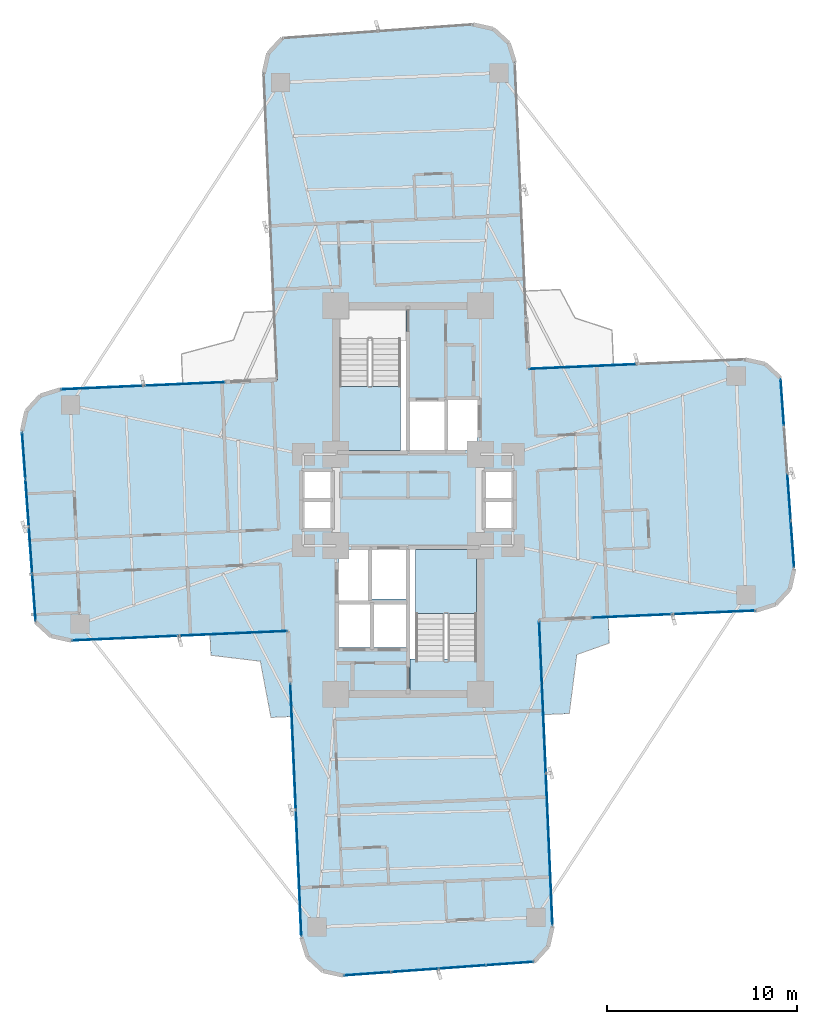
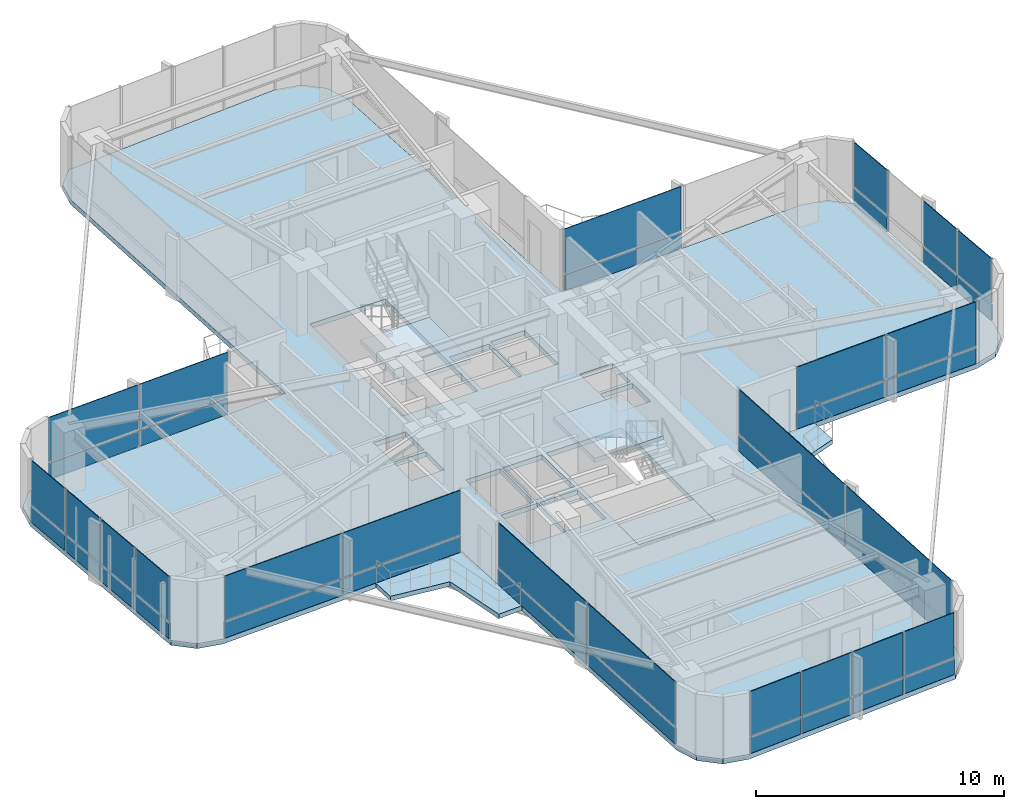
# One storey, part 21 of 26: 44 plates, 6 slabs, 11 elements without a shape of their own.
"""IFC4 building model written with IfcOpenShell, lengths in metres."""

from ifc_helpers import new_model, si_unit, direction, frame, origin, origin_2d, place, context, subcontext, project, spatial, polyline, rectangle, outline, extrude, source, transform, mapped, material, layer, layer_set, type_object, element, aggregate, save


model = new_model("IFC4")

# Units and contexts
model_context = context("Model", 3, precision=1e-05, world=origin(), true_north=direction((0.0, 1.0)))
body_context = subcontext(model_context, "Body", "Model", "MODEL_VIEW")
ifc_project = project(units=[si_unit("LENGTHUNIT", "METRE"), si_unit("AREAUNIT", "SQUARE_METRE"), si_unit("VOLUMEUNIT", "CUBIC_METRE"), si_unit("PLANEANGLEUNIT", "RADIAN"), si_unit("MASSUNIT", "GRAM", prefix="KILO")], contexts=[model_context])

# Site, building, storey
site_placement = place(None, origin())
site = spatial("IfcSite", under=ifc_project, at=site_placement, CompositionType="ELEMENT")
building_placement = place(site_placement, origin())
building = spatial("IfcBuilding", under=site, at=building_placement, Name="Sahyath Konkavel Grand Hotel", CompositionType="ELEMENT")
storey_placement = place(building_placement, frame((0.0, 0.0, 86.85009765625)))
storey = spatial("IfcBuildingStorey", under=building, at=storey_placement, Name="L23", CompositionType="ELEMENT", Elevation=86.85009765625)

# Slabs
ifc_material_1 = material(Name="Concrete C40/50", Category="concrete")
ifc_layer_1 = layer(ifc_material_1, 0.239990234375)
ifc_layer_set_1 = layer_set([ifc_layer_1], Name="Concrete C40/50")
slab_type_1 = type_object("IfcSlabType", Name="SLB-240", PredefinedType="FLOOR", material=ifc_layer_set_1)
slab_1_placement = place(storey_placement, frame((0.0, 0.0, -0.239990234375)))
element("IfcSlab", 1, at=slab_1_placement, inside=storey, type_object=slab_type_1, Name="L23 Structural Floor Slab", PredefinedType="FLOOR", context=body_context, shape_type="SweptSolid", body=[
    extrude(outline(polyline([(6.881591796875, -6.305908203125), (18.270751953125, -5.80859375), (19.3076171875, -5.481689453125), (20.0419921875, -4.68017578125), (20.277099609375, -3.618896484375), (19.5576171875, 6.4091796875), (18.75634765625, 7.1435546875), (17.695068359375, 7.37890625), (6.305908203125, 6.881591796875), (5.603515625, 22.96630859375), (5.276611328125, 24.0029296875), (4.47509765625, 24.7373046875), (3.4140625, 24.97265625), (-6.6142578125, 24.253173828125), (-7.3486328125, 23.451904296875), (-7.583984375, 22.390380859375), (-6.881591796875, 6.305908203125), (-18.270751953125, 5.80859375), (-19.3076171875, 5.481689453125), (-20.0419921875, 4.68017578125), (-20.277099609375, 3.618896484375), (-19.5576171875, -6.4091796875), (-18.75634765625, -7.1435546875), (-17.695068359375, -7.37890625), (-6.305908203125, -6.881591796875), (-5.603515625, -22.96630859375), (-5.276611328125, -24.0029296875), (-4.47509765625, -24.7373046875), (-3.4140625, -24.97265625), (6.6142578125, -24.253173828125), (7.3486328125, -23.451904296875), (7.583984375, -22.390380859375), (6.881591796875, -6.305908203125)]), holes=[polyline([(-3.6201171875, 2.580078125), (-0.10009765625, 2.580078125), (-0.10009765625, 10.02001953125), (-3.6201171875, 10.02001953125), (-3.6201171875, 2.580078125)]), polyline([(0.10009765625, -10.02001953125), (3.6201171875, -10.02001953125), (3.6201171875, -2.580078125), (0.10009765625, -2.580078125), (0.10009765625, -10.02001953125)]), polyline([(0.10009765625, 2.60009765625), (1.949951171875, 2.60009765625), (1.949951171875, 5.199951171875), (0.10009765625, 5.199951171875), (0.10009765625, 2.60009765625)]), polyline([(-1.949951171875, -5.199951171875), (-0.10009765625, -5.199951171875), (-0.10009765625, -2.60009765625), (-1.949951171875, -2.60009765625), (-1.949951171875, -5.199951171875)]), polyline([(2.050048828125, 2.60009765625), (3.64990234375, 2.60009765625), (3.64990234375, 5.300048828125), (2.050048828125, 5.300048828125), (2.050048828125, 2.60009765625)]), polyline([(-3.64990234375, -5.300048828125), (-2.050048828125, -5.300048828125), (-2.050048828125, -2.60009765625), (-3.64990234375, -2.60009765625), (-3.64990234375, -5.300048828125)]), polyline([(-3.64990234375, -7.75), (-1.949951171875, -7.75), (-1.949951171875, -5.449951171875), (-3.64990234375, -5.449951171875), (-3.64990234375, -7.75)]), polyline([(-1.85009765625, -7.75), (-0.10009765625, -7.75), (-0.10009765625, -5.449951171875), (-1.85009765625, -5.449951171875), (-1.85009765625, -7.75)]), polyline([(4.050048828125, 0.080078125), (5.550048828125, 0.080078125), (5.550048828125, 1.5400390625), (4.050048828125, 1.5400390625), (4.050048828125, 0.080078125)]), polyline([(4.050048828125, -1.5400390625), (5.550048828125, -1.5400390625), (5.550048828125, -0.080078125), (4.050048828125, -0.080078125), (4.050048828125, -1.5400390625)]), polyline([(-5.550048828125, 0.080078125), (-4.050048828125, 0.080078125), (-4.050048828125, 1.5400390625), (-5.550048828125, 1.5400390625), (-5.550048828125, 0.080078125)]), polyline([(-5.550048828125, -1.5400390625), (-4.050048828125, -1.5400390625), (-4.050048828125, -0.080078125), (-5.550048828125, -0.080078125), (-5.550048828125, -1.5400390625)])]), origin(), (0.0, 0.0, 1.0), 0.239990234375),
])
ifc_layer_2 = layer(ifc_material_1, 0.219970703125)
ifc_layer_set_2 = layer_set([ifc_layer_2], Name="Concrete C40/50")
slab_type_2 = type_object("IfcSlabType", Name="SLB-BALCONY-220", PredefinedType="FLOOR", material=ifc_layer_set_2)
slab_2_placement = place(storey_placement, frame((0.0, 0.0, -0.22021484375)))
element("IfcSlab", 2, at=slab_2_placement, inside=storey, type_object=slab_type_2, Name="L23 Winter-Garden Balcony SW", PredefinedType="FLOOR", context=body_context, shape_type="SweptSolid", body=[
    extrude(outline(polyline([(-6.305908203125, -6.881591796875), (-10.406982421875, -7.060791015625), (-10.359130859375, -8.155517578125), (-7.760009765625, -8.468505859375), (-7.20458984375, -11.420166015625), (-6.10986328125, -11.372314453125), (-6.305908203125, -6.881591796875)])), origin(), (0.0, 0.0, 1.0), 0.22021484375),
])
slab_3_placement = place(storey_placement, frame((0.0, 0.0, -0.22021484375)))
element("IfcSlab", 3, at=slab_3_placement, inside=storey, type_object=slab_type_2, Name="L23 Winter-Garden Balcony SE", PredefinedType="FLOOR", context=body_context, shape_type="SweptSolid", body=[
    extrude(outline(polyline([(6.881591796875, -6.305908203125), (7.098388671875, -11.273193359375), (8.462890625, -11.21337890625), (8.859619140625, -8.118408203125), (10.565673828125, -7.51220703125), (10.506103515625, -6.147705078125), (6.881591796875, -6.305908203125)])), origin(), (0.0, 0.0, 1.0), 0.22021484375),
])

# Stair, slab
stair_type = type_object("IfcStairType", Name="STR-ST16-335", PredefinedType="HALF_TURN_STAIR", material=ifc_material_1)
stair_1_placement = place(storey_placement, origin())
stair_1 = element("IfcStair", 4, at=stair_1_placement, inside=storey, type_object=stair_type, Name="L23 North Core Smokeproof Exit Stair ST-1", PredefinedType="HALF_TURN_STAIR")
ifc_layer_3 = layer(ifc_material_1, 0.199951171875)
ifc_layer_set_3 = layer_set([ifc_layer_3], Name="Concrete C40/50")
slab_type_3 = type_object("IfcSlabType", Name="SLB-STAIR-LND", PredefinedType="LANDING", material=ifc_layer_set_3)
slab_4_placement = place(storey_placement, frame((0.0, 0.0, 1.474853515625)))
slab_4 = element("IfcSlab", 5, at=slab_4_placement, type_object=slab_type_3, Name="ST-1 landing 1", PredefinedType="LANDING", context=body_context, shape_type="SweptSolid", body=[
    extrude(outline(polyline([(-3.60009765625, 5.9599609375), (-3.60009765625, 2.60009765625), (-0.39990234375, 2.60009765625), (-0.39990234375, 5.9599609375), (-3.60009765625, 5.9599609375)])), origin(), (0.0, 0.0, 1.0), 0.199951171875),
])
aggregate(stair_1, [slab_4])

stair_2_placement = place(storey_placement, origin())
stair_2 = element("IfcStair", 6, at=stair_2_placement, inside=storey, type_object=stair_type, Name="L23 South Core Smokeproof Exit Stair ST-2", PredefinedType="HALF_TURN_STAIR")
slab_5_placement = place(storey_placement, frame((0.0, 0.0, 1.474853515625)))
slab_5 = element("IfcSlab", 7, at=slab_5_placement, type_object=slab_type_3, Name="ST-2 landing 1", PredefinedType="LANDING", context=body_context, shape_type="SweptSolid", body=[
    extrude(outline(polyline([(3.60009765625, -5.9599609375), (3.60009765625, -2.60009765625), (0.39990234375, -2.60009765625), (0.39990234375, -5.9599609375), (3.60009765625, -5.9599609375)])), origin(), (0.0, 0.0, 1.0), 0.199951171875),
])
aggregate(stair_2, [slab_5])

# Slab
slab_6_placement = place(storey_placement, frame((0.0, 0.0, -0.2001953125)))
element("IfcSlab", 8, at=slab_6_placement, inside=storey, type_object=slab_type_3, Name="L23 Stair ST-2 Floor Landing Slab", PredefinedType="LANDING", context=body_context, shape_type="SweptSolid", body=[
    extrude(outline(polyline([(0.10009765625, -10.02001953125), (3.6201171875, -10.02001953125), (3.6201171875, -8.35009765625), (0.10009765625, -8.35009765625), (0.10009765625, -10.02001953125)])), origin(), (0.0, 0.0, 1.0), 0.2001953125),
])

# Curtain wall, plates
ifc_material_2 = material(Name="Anodised Bronze Aluminium & Low-E Glazing", Category="aluminium")
curtain_wall_type = type_object("IfcCurtainWallType", Name="CW-ZONE2", PredefinedType="NOTDEFINED", material=ifc_material_2)
curtain_wall_1_placement = place(storey_placement, origin())
curtain_wall_1 = element("IfcCurtainWall", 9, at=curtain_wall_1_placement, inside=storey, type_object=curtain_wall_type, Name="L23 Unitised Curtain Wall F0", PredefinedType="NOTDEFINED")
ifc_material_3 = material(Name="Warm Buff Sandstone Cladding", Category="masonry")
ifc_layer_4 = layer(ifc_material_3, 0.074951171875)
ifc_layer_set_4 = layer_set([ifc_layer_4], Name="Warm Buff Sandstone Cladding")
plate_type_1 = type_object("IfcPlateType", Name="PNL-SPANDREL-STONE", PredefinedType="SHEET", material=ifc_layer_set_4)
shared_shape_1 = source(origin(), body_context, "Body", "SweptSolid", [
    extrude(rectangle(XDim=4.22998046875, YDim=0.074951171875, at=origin_2d()), origin(), (0.0, 0.0, 1.0), 0.77001953125),
])
plate_1_placement = place(storey_placement, frame((11.77197265625, -6.09228515625, 0.039794921875), z_axis=(0.0, 0.0, 1.0), x_axis=(0.999048982732, 0.043601950678, 0.0)))
plate_1 = element("IfcPlate", 10, at=plate_1_placement, type_object=plate_type_1, Name="L23 Sandstone Relief Spandrel Panel F0-0", PredefinedType="SHEET", context=body_context, shape_type="MappedRepresentation", body=[
    mapped(shared_shape_1, transform((0.0, 0.0, 0.0), scale=1.0)),
])
plate_2_placement = place(storey_placement, frame((16.077880859375, -5.904296875, 0.039794921875), z_axis=(0.0, 0.0, 1.0), x_axis=(0.999048982732, 0.043601950678, 0.0)))
plate_2 = element("IfcPlate", 11, at=plate_2_placement, type_object=plate_type_1, Name="L23 Sandstone Relief Spandrel Panel F0-1", PredefinedType="SHEET", context=body_context, shape_type="MappedRepresentation", body=[
    mapped(shared_shape_1, transform((0.0, 0.0, 0.0), scale=1.0)),
])

curtain_wall_2_placement = place(storey_placement, origin())
curtain_wall_2 = element("IfcCurtainWall", 12, at=curtain_wall_2_placement, inside=storey, type_object=curtain_wall_type, Name="L23 Unitised Curtain Wall F16", PredefinedType="NOTDEFINED")
plate_3_placement = place(storey_placement, frame((-11.77197265625, 6.09228515625, 0.039794921875), z_axis=(0.0, 0.0, 1.0), x_axis=(-0.999048982732, -0.043601950678, 0.0)))
plate_3 = element("IfcPlate", 13, at=plate_3_placement, type_object=plate_type_1, Name="L23 Sandstone Relief Spandrel Panel F16-0", PredefinedType="SHEET", context=body_context, shape_type="MappedRepresentation", body=[
    mapped(shared_shape_1, transform((0.0, 0.0, 0.0), scale=1.0)),
])
plate_4_placement = place(storey_placement, frame((-16.077880859375, 5.904296875, 0.039794921875), z_axis=(0.0, 0.0, 1.0), x_axis=(-0.999048982732, -0.043601950678, 0.0)))
plate_4 = element("IfcPlate", 14, at=plate_4_placement, type_object=plate_type_1, Name="L23 Sandstone Relief Spandrel Panel F16-1", PredefinedType="SHEET", context=body_context, shape_type="MappedRepresentation", body=[
    mapped(shared_shape_1, transform((0.0, 0.0, 0.0), scale=1.0)),
])

curtain_wall_3_placement = place(storey_placement, origin())
curtain_wall_3 = element("IfcCurtainWall", 15, at=curtain_wall_3_placement, inside=storey, type_object=curtain_wall_type, Name="L23 Unitised Curtain Wall F4", PredefinedType="NOTDEFINED")
shared_shape_2 = source(origin(), body_context, "Body", "SweptSolid", [
    extrude(rectangle(XDim=2.41357421875, YDim=0.074951171875, at=origin_2d()), origin(), (0.0, 0.0, 1.0), 0.77001953125),
])
plate_5_placement = place(storey_placement, frame((20.18505859375, -2.335693359375, 0.039794921875), z_axis=(0.0, 0.0, 1.0), x_axis=(-0.071567078661, 0.997435789037, 0.0)))
plate_5 = element("IfcPlate", 16, at=plate_5_placement, type_object=plate_type_1, Name="L23 Sandstone Relief Spandrel Panel F4-0", PredefinedType="SHEET", context=body_context, shape_type="MappedRepresentation", body=[
    mapped(shared_shape_2, transform((0.0, 0.0, 0.0), scale=1.0)),
])
plate_6_placement = place(storey_placement, frame((20.006591796875, 0.151611328125, 0.039794921875), z_axis=(0.0, 0.0, 1.0), x_axis=(-0.071567078661, 0.997435789037, 0.0)))
plate_6 = element("IfcPlate", 17, at=plate_6_placement, type_object=plate_type_1, Name="L23 Sandstone Relief Spandrel Panel F4-1", PredefinedType="SHEET", context=body_context, shape_type="MappedRepresentation", body=[
    mapped(shared_shape_2, transform((0.0, 0.0, 0.0), scale=1.0)),
])
plate_7_placement = place(storey_placement, frame((19.64990234375, 5.125732421875, 0.039794921875), z_axis=(0.0, 0.0, 1.0), x_axis=(-0.071567078661, 0.997435789037, 0.0)))
plate_7 = element("IfcPlate", 18, at=plate_7_placement, type_object=plate_type_1, Name="L23 Sandstone Relief Spandrel Panel F4-3", PredefinedType="SHEET", context=body_context, shape_type="MappedRepresentation", body=[
    mapped(shared_shape_2, transform((0.0, 0.0, 0.0), scale=1.0)),
])

curtain_wall_4_placement = place(storey_placement, origin())
curtain_wall_4 = element("IfcCurtainWall", 19, at=curtain_wall_4_placement, inside=storey, type_object=curtain_wall_type, Name="L23 Unitised Curtain Wall F20", PredefinedType="NOTDEFINED")
plate_8_placement = place(storey_placement, frame((-20.18505859375, 2.335693359375, 0.039794921875), z_axis=(0.0, 0.0, 1.0), x_axis=(0.071567078661, -0.997435789037, 0.0)))
plate_8 = element("IfcPlate", 20, at=plate_8_placement, type_object=plate_type_1, Name="L23 Sandstone Relief Spandrel Panel F20-0", PredefinedType="SHEET", context=body_context, shape_type="MappedRepresentation", body=[
    mapped(shared_shape_2, transform((0.0, 0.0, 0.0), scale=1.0)),
])
plate_9_placement = place(storey_placement, frame((-20.006591796875, -0.151611328125, 0.039794921875), z_axis=(0.0, 0.0, 1.0), x_axis=(0.071567078661, -0.997435789037, 0.0)))
plate_9 = element("IfcPlate", 21, at=plate_9_placement, type_object=plate_type_1, Name="L23 Sandstone Relief Spandrel Panel F20-1", PredefinedType="SHEET", context=body_context, shape_type="MappedRepresentation", body=[
    mapped(shared_shape_2, transform((0.0, 0.0, 0.0), scale=1.0)),
])
plate_10_placement = place(storey_placement, frame((-19.828369140625, -2.638671875, 0.039794921875), z_axis=(0.0, 0.0, 1.0), x_axis=(0.071567078661, -0.997435789037, 0.0)))
plate_10 = element("IfcPlate", 22, at=plate_10_placement, type_object=plate_type_1, Name="L23 Sandstone Relief Spandrel Panel F20-2", PredefinedType="SHEET", context=body_context, shape_type="MappedRepresentation", body=[
    mapped(shared_shape_2, transform((0.0, 0.0, 0.0), scale=1.0)),
])
plate_11_placement = place(storey_placement, frame((-19.64990234375, -5.125732421875, 0.039794921875), z_axis=(0.0, 0.0, 1.0), x_axis=(0.071567078661, -0.997435789037, 0.0)))
plate_11 = element("IfcPlate", 23, at=plate_11_placement, type_object=plate_type_1, Name="L23 Sandstone Relief Spandrel Panel F20-3", PredefinedType="SHEET", context=body_context, shape_type="MappedRepresentation", body=[
    mapped(shared_shape_2, transform((0.0, 0.0, 0.0), scale=1.0)),
])

curtain_wall_5_placement = place(storey_placement, origin())
curtain_wall_5 = element("IfcCurtainWall", 24, at=curtain_wall_5_placement, inside=storey, type_object=curtain_wall_type, Name="L23 Unitised Curtain Wall F28", PredefinedType="NOTDEFINED")
plate_12_placement = place(storey_placement, frame((-2.130615234375, -24.880615234375, 0.039794921875), z_axis=(0.0, 0.0, 1.0), x_axis=(0.997435789037, 0.071567078661, 0.0)))
plate_12 = element("IfcPlate", 25, at=plate_12_placement, type_object=plate_type_1, Name="L23 Sandstone Relief Spandrel Panel F28-0", PredefinedType="SHEET", context=body_context, shape_type="MappedRepresentation", body=[
    mapped(shared_shape_2, transform((0.0, 0.0, 0.0), scale=1.0)),
])
plate_13_placement = place(storey_placement, frame((0.356689453125, -24.7021484375, 0.039794921875), z_axis=(0.0, 0.0, 1.0), x_axis=(0.997435789037, 0.071567078661, 0.0)))
plate_13 = element("IfcPlate", 26, at=plate_13_placement, type_object=plate_type_1, Name="L23 Sandstone Relief Spandrel Panel F28-1", PredefinedType="SHEET", context=body_context, shape_type="MappedRepresentation", body=[
    mapped(shared_shape_2, transform((0.0, 0.0, 0.0), scale=1.0)),
])
plate_14_placement = place(storey_placement, frame((2.84375, -24.523681640625, 0.039794921875), z_axis=(0.0, 0.0, 1.0), x_axis=(0.997435789037, 0.071567078661, 0.0)))
plate_14 = element("IfcPlate", 27, at=plate_14_placement, type_object=plate_type_1, Name="L23 Sandstone Relief Spandrel Panel F28-2", PredefinedType="SHEET", context=body_context, shape_type="MappedRepresentation", body=[
    mapped(shared_shape_2, transform((0.0, 0.0, 0.0), scale=1.0)),
])
plate_15_placement = place(storey_placement, frame((5.330810546875, -24.34521484375, 0.039794921875), z_axis=(0.0, 0.0, 1.0), x_axis=(0.997435789037, 0.071567078661, 0.0)))
plate_15 = element("IfcPlate", 28, at=plate_15_placement, type_object=plate_type_1, Name="L23 Sandstone Relief Spandrel Panel F28-3", PredefinedType="SHEET", context=body_context, shape_type="MappedRepresentation", body=[
    mapped(shared_shape_2, transform((0.0, 0.0, 0.0), scale=1.0)),
])

# Curtain wall, plate
curtain_wall_6_placement = place(storey_placement, origin())
curtain_wall_6 = element("IfcCurtainWall", 29, at=curtain_wall_6_placement, inside=storey, type_object=curtain_wall_type, Name="L23 Unitised Curtain Wall F7", PredefinedType="NOTDEFINED")
shared_shape_3 = source(origin(), body_context, "Body", "SweptSolid", [
    extrude(rectangle(XDim=5.580078125, YDim=0.074951171875, at=origin_2d()), origin(), (0.0, 0.0, 1.0), 0.77001953125),
])
plate_16_placement = place(storey_placement, frame((9.173095703125, 7.0068359375, 0.039794921875), z_axis=(0.0, 0.0, 1.0), x_axis=(-0.999048221582, -0.043619387365, 0.0)))
plate_16 = element("IfcPlate", 30, at=plate_16_placement, type_object=plate_type_1, Name="L23 Sandstone Relief Spandrel Panel F7-1", PredefinedType="SHEET", context=body_context, shape_type="MappedRepresentation", body=[
    mapped(shared_shape_3, transform((0.0, 0.0, 0.0), scale=1.0)),
])

# Curtain wall, plates
curtain_wall_7_placement = place(storey_placement, origin())
curtain_wall_7 = element("IfcCurtainWall", 31, at=curtain_wall_7_placement, inside=storey, type_object=curtain_wall_type, Name="L23 Unitised Curtain Wall F23", PredefinedType="NOTDEFINED")
plate_17_placement = place(storey_placement, frame((-14.82763671875, -7.25390625, 0.039794921875), z_axis=(0.0, 0.0, 1.0), x_axis=(0.999048221582, 0.043619387365, 0.0)))
plate_17 = element("IfcPlate", 32, at=plate_17_placement, type_object=plate_type_1, Name="L23 Sandstone Relief Spandrel Panel F23-0", PredefinedType="SHEET", context=body_context, shape_type="MappedRepresentation", body=[
    mapped(shared_shape_3, transform((0.0, 0.0, 0.0), scale=1.0)),
])
plate_18_placement = place(storey_placement, frame((-9.173095703125, -7.0068359375, 0.039794921875), z_axis=(0.0, 0.0, 1.0), x_axis=(0.999048221582, 0.043619387365, 0.0)))
plate_18 = element("IfcPlate", 33, at=plate_18_placement, type_object=plate_type_1, Name="L23 Sandstone Relief Spandrel Panel F23-1", PredefinedType="SHEET", context=body_context, shape_type="MappedRepresentation", body=[
    mapped(shared_shape_3, transform((0.0, 0.0, 0.0), scale=1.0)),
])

curtain_wall_8_placement = place(storey_placement, origin())
curtain_wall_8 = element("IfcCurtainWall", 34, at=curtain_wall_8_placement, inside=storey, type_object=curtain_wall_type, Name="L23 Unitised Curtain Wall F24", PredefinedType="NOTDEFINED")
shared_shape_4 = source(origin(), body_context, "Body", "SweptSolid", [
    extrude(rectangle(XDim=6.580078125, YDim=0.074951171875, at=origin_2d()), origin(), (0.0, 0.0, 1.0), 0.77001953125),
])
plate_19_placement = place(storey_placement, frame((-6.041015625, -12.94580078125, 0.039794921875), z_axis=(0.0, 0.0, 1.0), x_axis=(0.043619387365, -0.999048221582, 0.0)))
plate_19 = element("IfcPlate", 35, at=plate_19_placement, type_object=plate_type_1, Name="L23 Sandstone Relief Spandrel Panel F24-0", PredefinedType="SHEET", context=body_context, shape_type="MappedRepresentation", body=[
    mapped(shared_shape_4, transform((0.0, 0.0, 0.0), scale=1.0)),
])
plate_20_placement = place(storey_placement, frame((-5.75048828125, -19.599609375, 0.039794921875), z_axis=(0.0, 0.0, 1.0), x_axis=(0.043619387365, -0.999048221582, 0.0)))
plate_20 = element("IfcPlate", 36, at=plate_20_placement, type_object=plate_type_1, Name="L23 Sandstone Relief Spandrel Panel F24-1", PredefinedType="SHEET", context=body_context, shape_type="MappedRepresentation", body=[
    mapped(shared_shape_4, transform((0.0, 0.0, 0.0), scale=1.0)),
])

curtain_wall_9_placement = place(storey_placement, origin())
curtain_wall_9 = element("IfcCurtainWall", 37, at=curtain_wall_9_placement, inside=storey, type_object=curtain_wall_type, Name="L23 Unitised Curtain Wall F31", PredefinedType="NOTDEFINED")
shared_shape_5 = source(origin(), body_context, "Body", "SweptSolid", [
    extrude(rectangle(XDim=7.929931640625, YDim=0.074951171875, at=origin_2d()), origin(), (0.0, 0.0, 1.0), 0.77001953125),
])
plate_21_placement = place(storey_placement, frame((7.407470703125, -18.349365234375, 0.039794921875), z_axis=(0.0, 0.0, 1.0), x_axis=(-0.043619387365, 0.999048221582, 0.0)))
plate_21 = element("IfcPlate", 38, at=plate_21_placement, type_object=plate_type_1, Name="L23 Sandstone Relief Spandrel Panel F31-0", PredefinedType="SHEET", context=body_context, shape_type="MappedRepresentation", body=[
    mapped(shared_shape_5, transform((0.0, 0.0, 0.0), scale=1.0)),
])
plate_22_placement = place(storey_placement, frame((7.05810546875, -10.346923828125, 0.039794921875), z_axis=(0.0, 0.0, 1.0), x_axis=(-0.043619387365, 0.999048221582, 0.0)))
plate_22 = element("IfcPlate", 39, at=plate_22_placement, type_object=plate_type_1, Name="L23 Sandstone Relief Spandrel Panel F31-1", PredefinedType="SHEET", context=body_context, shape_type="MappedRepresentation", body=[
    mapped(shared_shape_5, transform((0.0, 0.0, 0.0), scale=1.0)),
])

# Plate
ifc_material_4 = material(Name="Low-E Solar Control Double Glazing", Category="glass")
ifc_layer_5 = layer(ifc_material_4, 0.035888671875)
ifc_layer_set_5 = layer_set([ifc_layer_5], Name="Low-E Solar Control Double Glazing")
plate_type_2 = type_object("IfcPlateType", Name="PNL-VISION-LOWE", PredefinedType="CURTAIN_PANEL", material=ifc_layer_set_5)
shared_shape_6 = source(origin(), body_context, "Body", "SweptSolid", [
    extrude(rectangle(XDim=4.22998046875, YDim=0.035888671875, at=origin_2d()), origin(), (0.0, 0.0, 1.0), 2.179931640625),
])
plate_23_placement = place(storey_placement, frame((11.77197265625, -6.09228515625, 0.89013671875), z_axis=(0.0, 0.0, 1.0), x_axis=(0.999048982732, 0.043601950678, 0.0)))
plate_23 = element("IfcPlate", 40, at=plate_23_placement, type_object=plate_type_2, Name="L23 Low-E Vision Glazing Panel F0-0", PredefinedType="CURTAIN_PANEL", context=body_context, shape_type="MappedRepresentation", body=[
    mapped(shared_shape_6, transform((0.0, 0.0, 0.0), scale=1.0)),
])

plate_24_placement = place(storey_placement, frame((16.077880859375, -5.904296875, 0.89013671875), z_axis=(0.0, 0.0, 1.0), x_axis=(0.999048982732, 0.043601950678, 0.0)))
plate_24 = element("IfcPlate", 41, at=plate_24_placement, type_object=plate_type_2, Name="L23 Low-E Vision Glazing Panel F0-1", PredefinedType="CURTAIN_PANEL", context=body_context, shape_type="MappedRepresentation", body=[
    mapped(shared_shape_6, transform((0.0, 0.0, 0.0), scale=1.0)),
])

aggregate(curtain_wall_1, [plate_1, plate_23, plate_2, plate_24])

plate_25_placement = place(storey_placement, frame((-11.77197265625, 6.09228515625, 0.89013671875), z_axis=(0.0, 0.0, 1.0), x_axis=(-0.999048982732, -0.043601950678, 0.0)))
plate_25 = element("IfcPlate", 42, at=plate_25_placement, type_object=plate_type_2, Name="L23 Low-E Vision Glazing Panel F16-0", PredefinedType="CURTAIN_PANEL", context=body_context, shape_type="MappedRepresentation", body=[
    mapped(shared_shape_6, transform((0.0, 0.0, 0.0), scale=1.0)),
])

plate_26_placement = place(storey_placement, frame((-16.077880859375, 5.904296875, 0.89013671875), z_axis=(0.0, 0.0, 1.0), x_axis=(-0.999048982732, -0.043601950678, 0.0)))
plate_26 = element("IfcPlate", 43, at=plate_26_placement, type_object=plate_type_2, Name="L23 Low-E Vision Glazing Panel F16-1", PredefinedType="CURTAIN_PANEL", context=body_context, shape_type="MappedRepresentation", body=[
    mapped(shared_shape_6, transform((0.0, 0.0, 0.0), scale=1.0)),
])

aggregate(curtain_wall_2, [plate_3, plate_25, plate_4, plate_26])

shared_shape_7 = source(origin(), body_context, "Body", "SweptSolid", [
    extrude(rectangle(XDim=2.41357421875, YDim=0.035888671875, at=origin_2d()), origin(), (0.0, 0.0, 1.0), 2.179931640625),
])
plate_27_placement = place(storey_placement, frame((20.18505859375, -2.335693359375, 0.89013671875), z_axis=(0.0, 0.0, 1.0), x_axis=(-0.071567078661, 0.997435789037, 0.0)))
plate_27 = element("IfcPlate", 44, at=plate_27_placement, type_object=plate_type_2, Name="L23 Low-E Vision Glazing Panel F4-0", PredefinedType="CURTAIN_PANEL", context=body_context, shape_type="MappedRepresentation", body=[
    mapped(shared_shape_7, transform((0.0, 0.0, 0.0), scale=1.0)),
])

plate_28_placement = place(storey_placement, frame((20.006591796875, 0.151611328125, 0.89013671875), z_axis=(0.0, 0.0, 1.0), x_axis=(-0.071567078661, 0.997435789037, 0.0)))
plate_28 = element("IfcPlate", 45, at=plate_28_placement, type_object=plate_type_2, Name="L23 Low-E Vision Glazing Panel F4-1", PredefinedType="CURTAIN_PANEL", context=body_context, shape_type="MappedRepresentation", body=[
    mapped(shared_shape_7, transform((0.0, 0.0, 0.0), scale=1.0)),
])

plate_29_placement = place(storey_placement, frame((19.64990234375, 5.125732421875, 0.89013671875), z_axis=(0.0, 0.0, 1.0), x_axis=(-0.071567078661, 0.997435789037, 0.0)))
plate_29 = element("IfcPlate", 46, at=plate_29_placement, type_object=plate_type_2, Name="L23 Low-E Vision Glazing Panel F4-3", PredefinedType="CURTAIN_PANEL", context=body_context, shape_type="MappedRepresentation", body=[
    mapped(shared_shape_7, transform((0.0, 0.0, 0.0), scale=1.0)),
])

aggregate(curtain_wall_3, [plate_5, plate_27, plate_6, plate_28, plate_7, plate_29])

plate_30_placement = place(storey_placement, frame((-20.18505859375, 2.335693359375, 0.89013671875), z_axis=(0.0, 0.0, 1.0), x_axis=(0.071567078661, -0.997435789037, 0.0)))
plate_30 = element("IfcPlate", 47, at=plate_30_placement, type_object=plate_type_2, Name="L23 Low-E Vision Glazing Panel F20-0", PredefinedType="CURTAIN_PANEL", context=body_context, shape_type="MappedRepresentation", body=[
    mapped(shared_shape_7, transform((0.0, 0.0, 0.0), scale=1.0)),
])

plate_31_placement = place(storey_placement, frame((-20.006591796875, -0.151611328125, 0.89013671875), z_axis=(0.0, 0.0, 1.0), x_axis=(0.071567078661, -0.997435789037, 0.0)))
plate_31 = element("IfcPlate", 48, at=plate_31_placement, type_object=plate_type_2, Name="L23 Low-E Vision Glazing Panel F20-1", PredefinedType="CURTAIN_PANEL", context=body_context, shape_type="MappedRepresentation", body=[
    mapped(shared_shape_7, transform((0.0, 0.0, 0.0), scale=1.0)),
])

plate_32_placement = place(storey_placement, frame((-19.828369140625, -2.638671875, 0.89013671875), z_axis=(0.0, 0.0, 1.0), x_axis=(0.071567078661, -0.997435789037, 0.0)))
plate_32 = element("IfcPlate", 49, at=plate_32_placement, type_object=plate_type_2, Name="L23 Low-E Vision Glazing Panel F20-2", PredefinedType="CURTAIN_PANEL", context=body_context, shape_type="MappedRepresentation", body=[
    mapped(shared_shape_7, transform((0.0, 0.0, 0.0), scale=1.0)),
])

plate_33_placement = place(storey_placement, frame((-19.64990234375, -5.125732421875, 0.89013671875), z_axis=(0.0, 0.0, 1.0), x_axis=(0.071567078661, -0.997435789037, 0.0)))
plate_33 = element("IfcPlate", 50, at=plate_33_placement, type_object=plate_type_2, Name="L23 Low-E Vision Glazing Panel F20-3", PredefinedType="CURTAIN_PANEL", context=body_context, shape_type="MappedRepresentation", body=[
    mapped(shared_shape_7, transform((0.0, 0.0, 0.0), scale=1.0)),
])

aggregate(curtain_wall_4, [plate_8, plate_30, plate_9, plate_31, plate_10, plate_32, plate_11, plate_33])

plate_34_placement = place(storey_placement, frame((-2.130615234375, -24.880615234375, 0.89013671875), z_axis=(0.0, 0.0, 1.0), x_axis=(0.997435789037, 0.071567078661, 0.0)))
plate_34 = element("IfcPlate", 51, at=plate_34_placement, type_object=plate_type_2, Name="L23 Low-E Vision Glazing Panel F28-0", PredefinedType="CURTAIN_PANEL", context=body_context, shape_type="MappedRepresentation", body=[
    mapped(shared_shape_7, transform((0.0, 0.0, 0.0), scale=1.0)),
])

plate_35_placement = place(storey_placement, frame((0.356689453125, -24.7021484375, 0.89013671875), z_axis=(0.0, 0.0, 1.0), x_axis=(0.997435789037, 0.071567078661, 0.0)))
plate_35 = element("IfcPlate", 52, at=plate_35_placement, type_object=plate_type_2, Name="L23 Low-E Vision Glazing Panel F28-1", PredefinedType="CURTAIN_PANEL", context=body_context, shape_type="MappedRepresentation", body=[
    mapped(shared_shape_7, transform((0.0, 0.0, 0.0), scale=1.0)),
])

plate_36_placement = place(storey_placement, frame((2.84375, -24.523681640625, 0.89013671875), z_axis=(0.0, 0.0, 1.0), x_axis=(0.997435789037, 0.071567078661, 0.0)))
plate_36 = element("IfcPlate", 53, at=plate_36_placement, type_object=plate_type_2, Name="L23 Low-E Vision Glazing Panel F28-2", PredefinedType="CURTAIN_PANEL", context=body_context, shape_type="MappedRepresentation", body=[
    mapped(shared_shape_7, transform((0.0, 0.0, 0.0), scale=1.0)),
])

plate_37_placement = place(storey_placement, frame((5.330810546875, -24.34521484375, 0.89013671875), z_axis=(0.0, 0.0, 1.0), x_axis=(0.997435789037, 0.071567078661, 0.0)))
plate_37 = element("IfcPlate", 54, at=plate_37_placement, type_object=plate_type_2, Name="L23 Low-E Vision Glazing Panel F28-3", PredefinedType="CURTAIN_PANEL", context=body_context, shape_type="MappedRepresentation", body=[
    mapped(shared_shape_7, transform((0.0, 0.0, 0.0), scale=1.0)),
])

aggregate(curtain_wall_5, [plate_12, plate_34, plate_13, plate_35, plate_14, plate_36, plate_15, plate_37])

shared_shape_8 = source(origin(), body_context, "Body", "SweptSolid", [
    extrude(rectangle(XDim=5.580078125, YDim=0.035888671875, at=origin_2d()), origin(), (0.0, 0.0, 1.0), 2.179931640625),
])
plate_38_placement = place(storey_placement, frame((9.173095703125, 7.0068359375, 0.89013671875), z_axis=(0.0, 0.0, 1.0), x_axis=(-0.999048221582, -0.043619387365, 0.0)))
plate_38 = element("IfcPlate", 55, at=plate_38_placement, type_object=plate_type_2, Name="L23 Low-E Vision Glazing Panel F7-1", PredefinedType="CURTAIN_PANEL", context=body_context, shape_type="MappedRepresentation", body=[
    mapped(shared_shape_8, transform((0.0, 0.0, 0.0), scale=1.0)),
])

aggregate(curtain_wall_6, [plate_16, plate_38])

plate_39_placement = place(storey_placement, frame((-14.82763671875, -7.25390625, 0.89013671875), z_axis=(0.0, 0.0, 1.0), x_axis=(0.999048221582, 0.043619387365, 0.0)))
plate_39 = element("IfcPlate", 56, at=plate_39_placement, type_object=plate_type_2, Name="L23 Low-E Vision Glazing Panel F23-0", PredefinedType="CURTAIN_PANEL", context=body_context, shape_type="MappedRepresentation", body=[
    mapped(shared_shape_8, transform((0.0, 0.0, 0.0), scale=1.0)),
])

plate_40_placement = place(storey_placement, frame((-9.173095703125, -7.0068359375, 0.89013671875), z_axis=(0.0, 0.0, 1.0), x_axis=(0.999048221582, 0.043619387365, 0.0)))
plate_40 = element("IfcPlate", 57, at=plate_40_placement, type_object=plate_type_2, Name="L23 Low-E Vision Glazing Panel F23-1", PredefinedType="CURTAIN_PANEL", context=body_context, shape_type="MappedRepresentation", body=[
    mapped(shared_shape_8, transform((0.0, 0.0, 0.0), scale=1.0)),
])

aggregate(curtain_wall_7, [plate_17, plate_39, plate_18, plate_40])

shared_shape_9 = source(origin(), body_context, "Body", "SweptSolid", [
    extrude(rectangle(XDim=6.580078125, YDim=0.035888671875, at=origin_2d()), origin(), (0.0, 0.0, 1.0), 2.179931640625),
])
plate_41_placement = place(storey_placement, frame((-6.041015625, -12.94580078125, 0.89013671875), z_axis=(0.0, 0.0, 1.0), x_axis=(0.043619387365, -0.999048221582, 0.0)))
plate_41 = element("IfcPlate", 58, at=plate_41_placement, type_object=plate_type_2, Name="L23 Low-E Vision Glazing Panel F24-0", PredefinedType="CURTAIN_PANEL", context=body_context, shape_type="MappedRepresentation", body=[
    mapped(shared_shape_9, transform((0.0, 0.0, 0.0), scale=1.0)),
])

plate_42_placement = place(storey_placement, frame((-5.75048828125, -19.599609375, 0.89013671875), z_axis=(0.0, 0.0, 1.0), x_axis=(0.043619387365, -0.999048221582, 0.0)))
plate_42 = element("IfcPlate", 59, at=plate_42_placement, type_object=plate_type_2, Name="L23 Low-E Vision Glazing Panel F24-1", PredefinedType="CURTAIN_PANEL", context=body_context, shape_type="MappedRepresentation", body=[
    mapped(shared_shape_9, transform((0.0, 0.0, 0.0), scale=1.0)),
])

aggregate(curtain_wall_8, [plate_19, plate_41, plate_20, plate_42])

shared_shape_10 = source(origin(), body_context, "Body", "SweptSolid", [
    extrude(rectangle(XDim=7.929931640625, YDim=0.035888671875, at=origin_2d()), origin(), (0.0, 0.0, 1.0), 2.179931640625),
])
plate_43_placement = place(storey_placement, frame((7.407470703125, -18.349365234375, 0.89013671875), z_axis=(0.0, 0.0, 1.0), x_axis=(-0.043619387365, 0.999048221582, 0.0)))
plate_43 = element("IfcPlate", 60, at=plate_43_placement, type_object=plate_type_2, Name="L23 Low-E Vision Glazing Panel F31-0", PredefinedType="CURTAIN_PANEL", context=body_context, shape_type="MappedRepresentation", body=[
    mapped(shared_shape_10, transform((0.0, 0.0, 0.0), scale=1.0)),
])

plate_44_placement = place(storey_placement, frame((7.05810546875, -10.346923828125, 0.89013671875), z_axis=(0.0, 0.0, 1.0), x_axis=(-0.043619387365, 0.999048221582, 0.0)))
plate_44 = element("IfcPlate", 61, at=plate_44_placement, type_object=plate_type_2, Name="L23 Low-E Vision Glazing Panel F31-1", PredefinedType="CURTAIN_PANEL", context=body_context, shape_type="MappedRepresentation", body=[
    mapped(shared_shape_10, transform((0.0, 0.0, 0.0), scale=1.0)),
])

aggregate(curtain_wall_9, [plate_21, plate_43, plate_22, plate_44])

save(model, "model.ifc")
